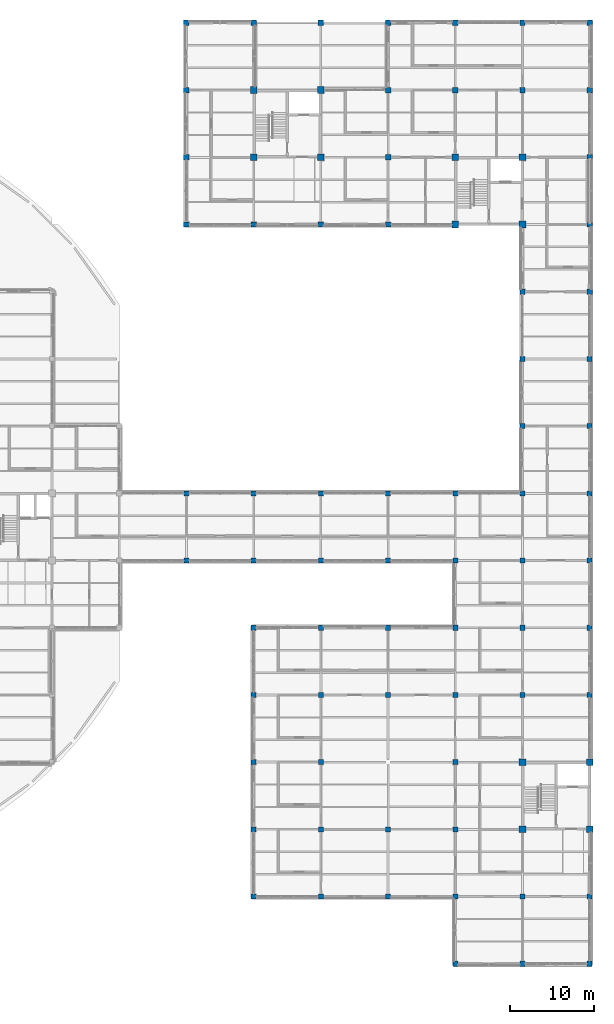
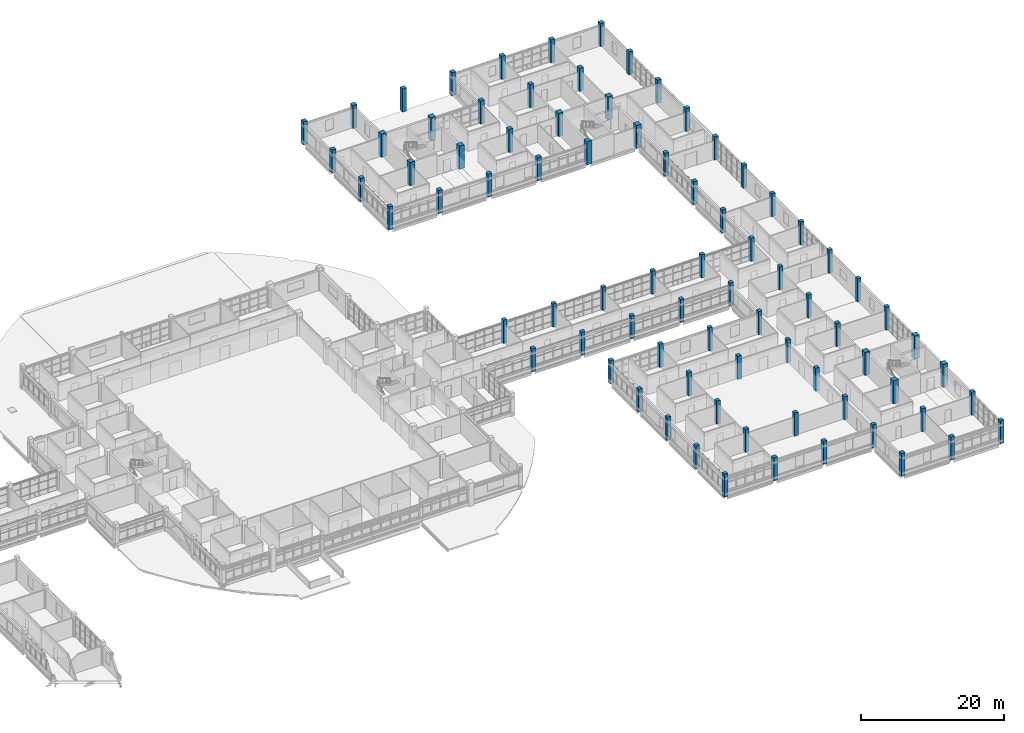
# One storey, part 5 of 126: 80 columns.
"""IFC4 building model written with IfcOpenShell, lengths in metres."""

from ifc_helpers import new_model, si_unit, derived_unit, direction, frame, origin, origin_2d, place, context, subcontext, project, spatial, rectangle, extrude, material, material_profile, profile_set, type_object, element, save


model = new_model("IFC4")

# Units and contexts
model_context = context("Model", 3, precision=1e-05, world=origin(), true_north=direction((0.0, 1.0)))
body_context = subcontext(model_context, "Body", "Model", "MODEL_VIEW")
ifc_project = project(units=[si_unit("LENGTHUNIT", "METRE"), si_unit("AREAUNIT", "SQUARE_METRE"), si_unit("VOLUMEUNIT", "CUBIC_METRE"), si_unit("PLANEANGLEUNIT", "RADIAN"), si_unit("MASSUNIT", "GRAM", prefix="KILO"), derived_unit("THERMALTRANSMITTANCEUNIT", [(si_unit("MASSUNIT", "GRAM", prefix="KILO"), 1), (si_unit("TIMEUNIT", "SECOND"), -3), (si_unit("THERMODYNAMICTEMPERATUREUNIT", "KELVIN"), -1)])], contexts=[model_context])

# Site, building, storey
site_placement = place(None, origin())
site = spatial("IfcSite", under=ifc_project, at=site_placement, CompositionType="ELEMENT")
building_placement = place(site_placement, origin())
building = spatial("IfcBuilding", under=site, at=building_placement, Name="Veyamyaing Civic Hall", CompositionType="ELEMENT")
storey_placement = place(building_placement, frame((0.0, 0.0, 9.89990234375)))
storey = spatial("IfcBuildingStorey", under=building, at=storey_placement, Name="L02", CompositionType="ELEMENT", Elevation=9.89990234375)

# Columns
ifc_material = material(Name="Concrete C45/55", Category="concrete")
ifc_material_profile_1 = material_profile(ifc_material, rectangle(XDim=0.800048828125, YDim=0.800048828125, at=origin_2d()), Name="RC-COL-800X800")
ifc_profile_set_1 = profile_set([ifc_material_profile_1], Name="Concrete C45/55")
column_type_1 = type_object("IfcColumnType", Name="C-02", PredefinedType="COLUMN", material=ifc_profile_set_1)
for number, where, z_axis, x_axis, name in (
    (1, (136.0, 96.0, 0.0), (0.0, 0.0, 1.0), (1.0, 0.0, 0.0), "Column C-02 18-N L02"),
    (2, (136.0, 104.0, 0.0), (0.0, 0.0, 1.0), (1.0, 0.0, 0.0), "Column C-02 18-P L02"),
    (3, (144.0, 96.0, 0.0), (0.0, 0.0, 1.0), (1.0, 0.0, 0.0), "Column C-02 19-N L02"),
    (4, (144.0, 104.0, 0.0), (0.0, 0.0, 1.0), (1.0, 0.0, 0.0), "Column C-02 19-P L02"),
    (5, (160.0, 88.0, 0.0), (0.0, 0.0, 1.0), (1.0, 0.0, 0.0), "Column C-02 21-M L02"),
    (6, (160.0, 96.0, 0.0), (0.0, 0.0, 1.0), (1.0, 0.0, 0.0), "Column C-02 21-N L02"),
    (7, (168.0, 16.0, 0.0), (0.0, 0.0, 1.0), (1.0, 0.0, 0.0), "Column C-02 22-C L02"),
    (8, (168.0, 24.0, 0.0), (0.0, 0.0, 1.0), (1.0, 0.0, 0.0), "Column C-02 22-D L02"),
    (9, (168.0, 88.0, 0.0), (0.0, 0.0, 1.0), (1.0, 0.0, 0.0), "Column C-02 22-M L02"),
    (10, (168.0, 96.0, 0.0), (0.0, 0.0, 1.0), (1.0, 0.0, 0.0), "Column C-02 22-N L02"),
    (11, (176.0, 16.0, 0.0), (0.0, 0.0, 1.0), (1.0, 0.0, 0.0), "Column C-02 23-C L02"),
    (12, (176.0, 24.0, 0.0), (0.0, 0.0, 1.0), (1.0, 0.0, 0.0), "Column C-02 23-D L02"),
):
    element("IfcColumn", number, at=place(storey_placement, frame(where, z_axis=z_axis, x_axis=x_axis)), inside=storey, type_object=column_type_1, Name=name, PredefinedType="COLUMN", context=body_context, shape_type="SweptSolid", body=[
        extrude(rectangle(XDim=0.800048828125, YDim=0.800048828125, at=origin_2d()), origin(), (0.0, 0.0, 1.0), 3.960205078125),
    ])
ifc_material_profile_2 = material_profile(ifc_material, rectangle(XDim=0.64990234375, YDim=0.64990234375, at=origin_2d()), Name="RC-COL-650X650")
ifc_profile_set_2 = profile_set([ifc_material_profile_2], Name="Concrete C45/55")
column_type_2 = type_object("IfcColumnType", Name="C-05", PredefinedType="COLUMN", material=ifc_profile_set_2)
for number, where, z_axis, x_axis, name in (
    (13, (128.0, 88.0, 0.0), (0.0, 0.0, 1.0), (1.0, 0.0, 0.0), "Column C-05 17-M L02"),
    (14, (128.0, 96.0, 0.0), (0.0, 0.0, 1.0), (1.0, 0.0, 0.0), "Column C-05 17-N L02"),
    (15, (128.0, 104.0, 0.0), (0.0, 0.0, 1.0), (1.0, 0.0, 0.0), "Column C-05 17-P L02"),
    (16, (128.0, 112.0, 0.0), (0.0, 0.0, 1.0), (1.0, 0.0, 0.0), "Column C-05 17-Q L02"),
    (17, (136.0, 88.0, 0.0), (0.0, 0.0, 1.0), (1.0, 0.0, 0.0), "Column C-05 18-M L02"),
    (18, (136.0, 112.0, 0.0), (0.0, 0.0, 1.0), (1.0, 0.0, 0.0), "Column C-05 18-Q L02"),
    (19, (144.0, 88.0, 0.0), (0.0, 0.0, 1.0), (1.0, 0.0, 0.0), "Column C-05 19-M L02"),
    (20, (144.0, 112.0, 0.0), (0.0, 0.0, 1.0), (1.0, 0.0, 0.0), "Column C-05 19-Q L02"),
    (21, (152.0, 88.0, 0.0), (0.0, 0.0, 1.0), (1.0, 0.0, 0.0), "Column C-05 20-M L02"),
    (22, (152.0, 96.0, 0.0), (0.0, 0.0, 1.0), (1.0, 0.0, 0.0), "Column C-05 20-N L02"),
    (23, (152.0, 104.0, 0.0), (0.0, 0.0, 1.0), (1.0, 0.0, 0.0), "Column C-05 20-P L02"),
    (24, (152.0, 112.0, 0.0), (0.0, 0.0, 1.0), (1.0, 0.0, 0.0), "Column C-05 20-Q L02"),
    (25, (160.0, 104.0, 0.0), (0.0, 0.0, 1.0), (1.0, 0.0, 0.0), "Column C-05 21-P L02"),
    (26, (160.0, 112.0, 0.0), (0.0, 0.0, 1.0), (1.0, 0.0, 0.0), "Column C-05 21-Q L02"),
    (27, (168.0, 80.0, 0.0), (0.0, 0.0, 1.0), (1.0, 0.0, 0.0), "Column C-05 22-L L02"),
    (28, (168.0, 104.0, 0.0), (0.0, 0.0, 1.0), (1.0, 0.0, 0.0), "Column C-05 22-P L02"),
    (29, (168.0, 112.0, 0.0), (0.0, 0.0, 1.0), (1.0, 0.0, 0.0), "Column C-05 22-Q L02"),
    (30, (176.0, 80.0, 0.0), (0.0, 0.0, 1.0), (1.0, 0.0, 0.0), "Column C-05 23-L L02"),
    (31, (176.0, 88.0, 0.0), (0.0, 0.0, 1.0), (1.0, 0.0, 0.0), "Column C-05 23-M L02"),
    (32, (176.0, 96.0, 0.0), (0.0, 0.0, 1.0), (1.0, 0.0, 0.0), "Column C-05 23-N L02"),
    (33, (176.0, 104.0, 0.0), (0.0, 0.0, 1.0), (1.0, 0.0, 0.0), "Column C-05 23-P L02"),
    (34, (176.0, 112.0, 0.0), (0.0, 0.0, 1.0), (1.0, 0.0, 0.0), "Column C-05 23-Q L02"),
):
    element("IfcColumn", number, at=place(storey_placement, frame(where, z_axis=z_axis, x_axis=x_axis)), inside=storey, type_object=column_type_2, Name=name, PredefinedType="COLUMN", context=body_context, shape_type="SweptSolid", body=[
        extrude(rectangle(XDim=0.64990234375, YDim=0.64990234375, at=origin_2d()), origin(), (0.0, 0.0, 1.0), 3.960205078125),
    ])
ifc_material_profile_3 = material_profile(ifc_material, rectangle(XDim=0.60009765625, YDim=0.60009765625, at=origin_2d()), Name="RC-COL-600X600")
ifc_profile_set_3 = profile_set([ifc_material_profile_3], Name="Concrete C45/55")
column_type_3 = type_object("IfcColumnType", Name="C-06", PredefinedType="COLUMN", material=ifc_profile_set_3)
for number, where, z_axis, x_axis, name in (
    (35, (128.0, 48.0, 0.0), (0.0, 0.0, 1.0), (1.0, 0.0, 0.0), "Column C-06 17-G L02"),
    (36, (128.0, 56.0, 0.0), (0.0, 0.0, 1.0), (1.0, 0.0, 0.0), "Column C-06 17-H L02"),
    (37, (136.0, 8.0, 0.0), (0.0, 0.0, 1.0), (1.0, 0.0, 0.0), "Column C-06 18-B L02"),
    (38, (136.0, 16.0, 0.0), (0.0, 0.0, 1.0), (1.0, 0.0, 0.0), "Column C-06 18-C L02"),
    (39, (136.0, 24.0, 0.0), (0.0, 0.0, 1.0), (1.0, 0.0, 0.0), "Column C-06 18-D L02"),
    (40, (136.0, 32.0, 0.0), (0.0, 0.0, 1.0), (1.0, 0.0, 0.0), "Column C-06 18-E L02"),
    (41, (136.0, 40.0, 0.0), (0.0, 0.0, 1.0), (1.0, 0.0, 0.0), "Column C-06 18-F L02"),
    (42, (136.0, 48.0, 0.0), (0.0, 0.0, 1.0), (1.0, 0.0, 0.0), "Column C-06 18-G L02"),
    (43, (136.0, 56.0, 0.0), (0.0, 0.0, 1.0), (1.0, 0.0, 0.0), "Column C-06 18-H L02"),
    (44, (144.0, 8.0, 0.0), (0.0, 0.0, 1.0), (1.0, 0.0, 0.0), "Column C-06 19-B L02"),
    (45, (144.0, 16.0, 0.0), (0.0, 0.0, 1.0), (1.0, 0.0, 0.0), "Column C-06 19-C L02"),
    (46, (144.0, 24.0, 0.0), (0.0, 0.0, 1.0), (1.0, 0.0, 0.0), "Column C-06 19-D L02"),
    (47, (144.0, 32.0, 0.0), (0.0, 0.0, 1.0), (1.0, 0.0, 0.0), "Column C-06 19-E L02"),
    (48, (144.0, 40.0, 0.0), (0.0, 0.0, 1.0), (1.0, 0.0, 0.0), "Column C-06 19-F L02"),
    (49, (144.0, 48.0, 0.0), (0.0, 0.0, 1.0), (1.0, 0.0, 0.0), "Column C-06 19-G L02"),
    (50, (144.0, 56.0, 0.0), (0.0, 0.0, 1.0), (1.0, 0.0, 0.0), "Column C-06 19-H L02"),
    (51, (152.0, 8.0, 0.0), (0.0, 0.0, 1.0), (1.0, 0.0, 0.0), "Column C-06 20-B L02"),
    (52, (152.0, 16.0, 0.0), (0.0, 0.0, 1.0), (1.0, 0.0, 0.0), "Column C-06 20-C L02"),
    (53, (152.0, 32.0, 0.0), (0.0, 0.0, 1.0), (1.0, 0.0, 0.0), "Column C-06 20-E L02"),
    (54, (152.0, 40.0, 0.0), (0.0, 0.0, 1.0), (1.0, 0.0, 0.0), "Column C-06 20-F L02"),
    (55, (152.0, 48.0, 0.0), (0.0, 0.0, 1.0), (1.0, 0.0, 0.0), "Column C-06 20-G L02"),
    (56, (152.0, 56.0, 0.0), (0.0, 0.0, 1.0), (1.0, 0.0, 0.0), "Column C-06 20-H L02"),
    (57, (160.0, 0.0, 0.0), (0.0, 0.0, 1.0), (1.0, 0.0, 0.0), "Column C-06 21-A L02"),
    (58, (160.0, 8.0, 0.0), (0.0, 0.0, 1.0), (1.0, 0.0, 0.0), "Column C-06 21-B L02"),
    (59, (160.0, 16.0, 0.0), (0.0, 0.0, 1.0), (1.0, 0.0, 0.0), "Column C-06 21-C L02"),
    (60, (160.0, 24.0, 0.0), (0.0, 0.0, 1.0), (1.0, 0.0, 0.0), "Column C-06 21-D L02"),
    (61, (160.0, 32.0, 0.0), (0.0, 0.0, 1.0), (1.0, 0.0, 0.0), "Column C-06 21-E L02"),
    (62, (160.0, 40.0, 0.0), (0.0, 0.0, 1.0), (1.0, 0.0, 0.0), "Column C-06 21-F L02"),
    (63, (160.0, 48.0, 0.0), (0.0, 0.0, 1.0), (1.0, 0.0, 0.0), "Column C-06 21-G L02"),
    (64, (160.0, 56.0, 0.0), (0.0, 0.0, 1.0), (1.0, 0.0, 0.0), "Column C-06 21-H L02"),
    (65, (168.0, 0.0, 0.0), (0.0, 0.0, 1.0), (1.0, 0.0, 0.0), "Column C-06 22-A L02"),
    (66, (168.0, 8.0, 0.0), (0.0, 0.0, 1.0), (1.0, 0.0, 0.0), "Column C-06 22-B L02"),
    (67, (168.0, 32.0, 0.0), (0.0, 0.0, 1.0), (1.0, 0.0, 0.0), "Column C-06 22-E L02"),
    (68, (168.0, 40.0, 0.0), (0.0, 0.0, 1.0), (1.0, 0.0, 0.0), "Column C-06 22-F L02"),
    (69, (168.0, 48.0, 0.0), (0.0, 0.0, 1.0), (1.0, 0.0, 0.0), "Column C-06 22-G L02"),
    (70, (168.0, 56.0, 0.0), (0.0, 0.0, 1.0), (1.0, 0.0, 0.0), "Column C-06 22-H L02"),
    (71, (168.0, 64.0, 0.0), (0.0, 0.0, 1.0), (1.0, 0.0, 0.0), "Column C-06 22-J L02"),
    (72, (168.0, 72.0, 0.0), (0.0, 0.0, 1.0), (1.0, 0.0, 0.0), "Column C-06 22-K L02"),
    (73, (176.0, 0.0, 0.0), (0.0, 0.0, 1.0), (1.0, 0.0, 0.0), "Column C-06 23-A L02"),
    (74, (176.0, 8.0, 0.0), (0.0, 0.0, 1.0), (1.0, 0.0, 0.0), "Column C-06 23-B L02"),
    (75, (176.0, 32.0, 0.0), (0.0, 0.0, 1.0), (1.0, 0.0, 0.0), "Column C-06 23-E L02"),
    (76, (176.0, 40.0, 0.0), (0.0, 0.0, 1.0), (1.0, 0.0, 0.0), "Column C-06 23-F L02"),
    (77, (176.0, 48.0, 0.0), (0.0, 0.0, 1.0), (1.0, 0.0, 0.0), "Column C-06 23-G L02"),
    (78, (176.0, 56.0, 0.0), (0.0, 0.0, 1.0), (1.0, 0.0, 0.0), "Column C-06 23-H L02"),
    (79, (176.0, 64.0, 0.0), (0.0, 0.0, 1.0), (1.0, 0.0, 0.0), "Column C-06 23-J L02"),
    (80, (176.0, 72.0, 0.0), (0.0, 0.0, 1.0), (1.0, 0.0, 0.0), "Column C-06 23-K L02"),
):
    element("IfcColumn", number, at=place(storey_placement, frame(where, z_axis=z_axis, x_axis=x_axis)), inside=storey, type_object=column_type_3, Name=name, PredefinedType="COLUMN", context=body_context, shape_type="SweptSolid", body=[
        extrude(rectangle(XDim=0.60009765625, YDim=0.60009765625, at=origin_2d()), origin(), (0.0, 0.0, 1.0), 3.960205078125),
    ])

save(model, "model.ifc")
